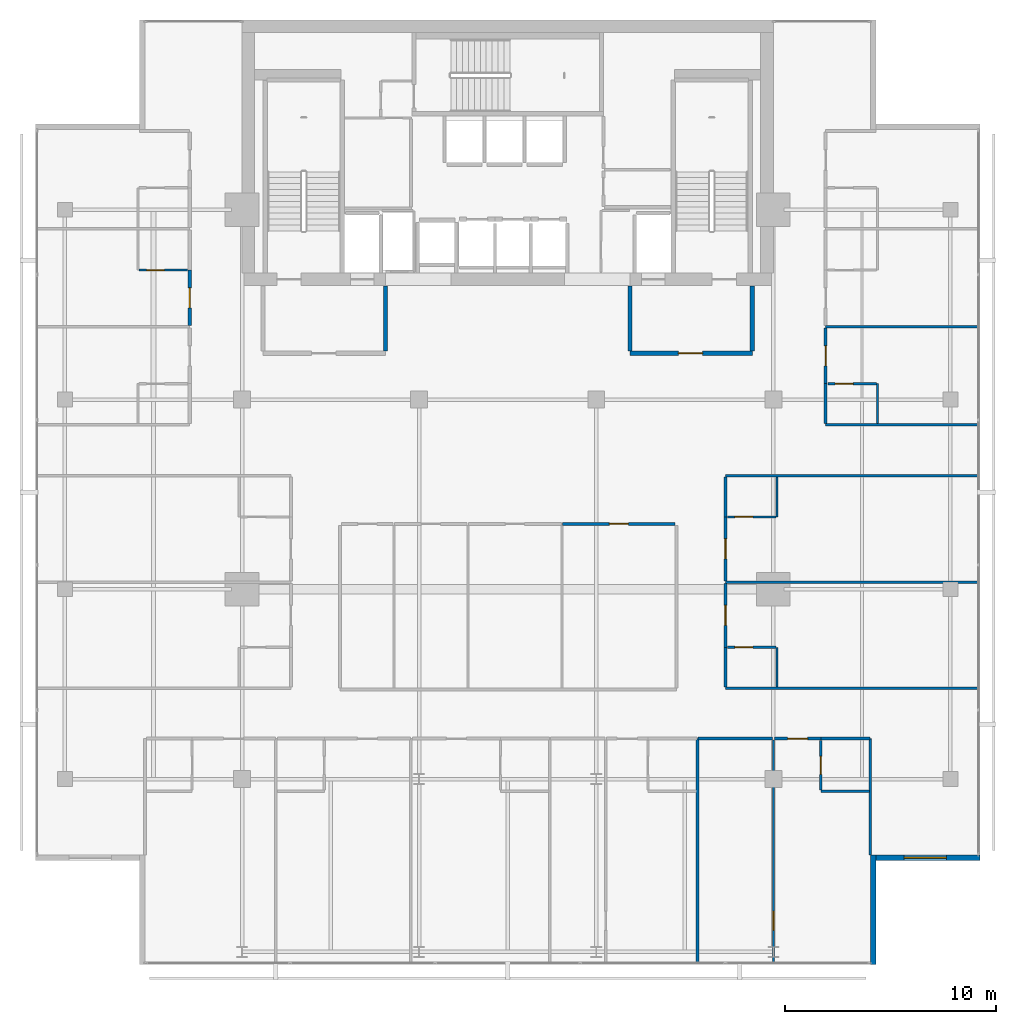
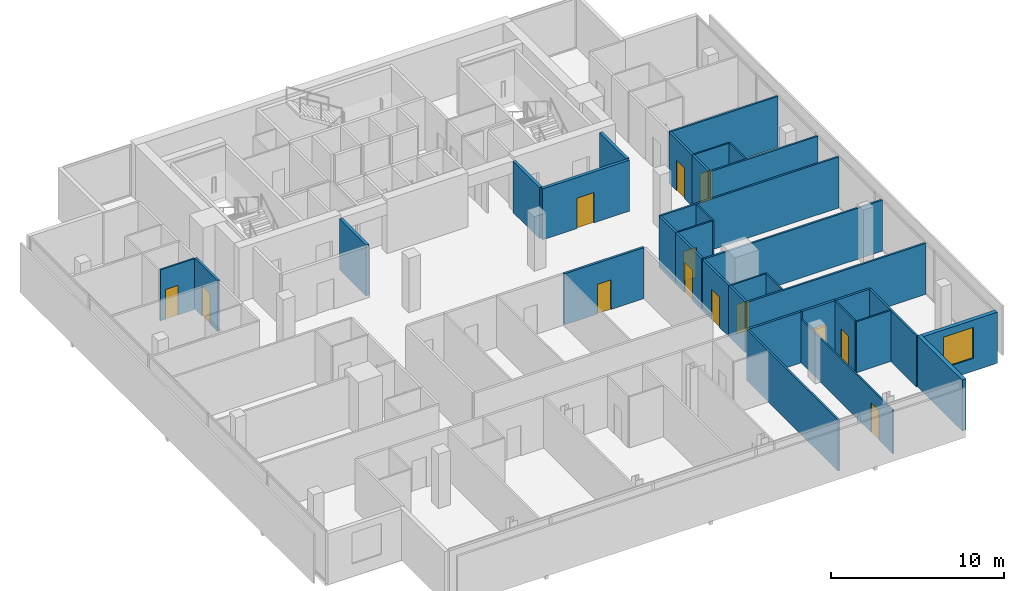
# One storey, part 21 of 26: 34 walls, 13 doors, 1 window, 14 openings.
"""IFC4 building model written with IfcOpenShell, lengths in metres."""

from ifc_helpers import new_model, si_unit, direction, frame, frame_2d, origin, place, context, subcontext, project, spatial, rectangle, extrude, material, layer, layer_set, type_object, element, fill, save


model = new_model("IFC4")

# Units and contexts
model_context = context("Model", 3, precision=1e-05, world=origin(), true_north=direction((0.0, 1.0)))
body_context = subcontext(model_context, "Body", "Model", "MODEL_VIEW")
ifc_project = project(units=[si_unit("LENGTHUNIT", "METRE"), si_unit("AREAUNIT", "SQUARE_METRE"), si_unit("VOLUMEUNIT", "CUBIC_METRE"), si_unit("PLANEANGLEUNIT", "RADIAN"), si_unit("MASSUNIT", "GRAM", prefix="KILO")], contexts=[model_context])

# Site, building, storey
site_placement = place(None, origin())
site = spatial("IfcSite", under=ifc_project, at=site_placement, CompositionType="ELEMENT")
building_placement = place(site_placement, origin())
building = spatial("IfcBuilding", under=site, at=building_placement, Name="Maruvema Waterfront Hotel and Observation Tower", CompositionType="ELEMENT")
storey_placement = place(building_placement, frame((0.0, 0.0, 285.60009765625)))
storey = spatial("IfcBuildingStorey", under=building, at=storey_placement, Name="L70", CompositionType="ELEMENT", Elevation=285.60009765625)

# Wall, opening, door
ifc_material_1 = material(Name="Twin-stud acoustic gypsum drywall", Category="gypsum")
ifc_layer_1 = layer(ifc_material_1, 0.14990234375, Name="Acoustic Corridor and Suite Demising Wall 150 mm")
ifc_layer_set_1 = layer_set([ifc_layer_1], Name="Twin-stud acoustic gypsum drywall")
wall_type_1 = type_object("IfcWallType", Name="Acoustic Corridor and Suite Demising Wall 150 mm", PredefinedType="PARTITIONING", material=ifc_layer_set_1)
wall_1_placement = place(storey_placement, frame((40.406982421875, 30.10009765625, 0.0), z_axis=(0.0, 0.0, 1.0), x_axis=(1.0, 0.0, 0.0)))
wall_1 = element("IfcWall", 1, at=wall_1_placement, inside=storey, type_object=wall_type_1, Name="L70 L70-Z3M Front 4 030", PredefinedType="PARTITIONING", context=body_context, shape_type="SweptSolid", body=[
    extrude(rectangle(XDim=5.3330078125, YDim=0.14990234375, at=frame_2d((2.66650390625, 0.0))), origin(), (0.0, 0.0, 1.0), 3.60986328125),
])
opening_1_placement = place(wall_1_placement, frame((2.216552734375, 0.0, 0.0)))
opening_1 = element("IfcOpeningElement", 2, at=opening_1_placement, cuts=wall_1, Name="Opening DR-090", PredefinedType="OPENING", context=body_context, shape_type="SweptSolid", body=[
    extrude(rectangle(XDim=0.89990234375, YDim=2.10009765625, at=frame_2d((0.449951171875, 1.050048828125))), frame((0.0, 0.0849609375, 0.0), z_axis=(0.0, -1.0, 0.0), x_axis=(1.0, 0.0, 0.0)), (0.0, 0.0, 1.0), 0.169921875),
])
ifc_material_2 = material(Name="Solid-core lacquered timber leaf", Category="wood")
door_type_1 = type_object("IfcDoorType", Name="Accessible Toilet and Room Door 900x2100 mm", OperationType="NOTDEFINED", PredefinedType="DOOR", material=ifc_material_2)
door_1_placement = place(opening_1_placement, origin())
door_1 = element("IfcDoor", 3, at=door_1_placement, inside=storey, type_object=door_type_1, Name="L70 Refreshment Kitchen Door", OperationType="SINGLE_SWING_LEFT", OverallHeight=2.10009765625, OverallWidth=0.89990234375, PredefinedType="DOOR", context=body_context, shape_type="SweptSolid", body=[
    extrude(rectangle(XDim=0.89990234375, YDim=2.10009765625, at=frame_2d((0.449951171875, 1.050048828125))), frame((0.0, 0.02490234375, 0.0), z_axis=(0.0, -1.0, 0.0), x_axis=(1.0, 0.0, 0.0)), (0.0, 0.0, 1.0), 0.050048828125),
])
fill(opening_1, door_1)

# Walls
wall_2_placement = place(storey_placement, frame((52.64990234375, 19.919921875, 0.0), z_axis=(0.0, 0.0, 1.0), x_axis=(1.0, 0.0, 0.0)))
element("IfcWall", 4, at=wall_2_placement, inside=storey, type_object=wall_type_1, Name="L70 Bath L70-S5 Back Wall 055", PredefinedType="PARTITIONING", context=body_context, shape_type="SweptSolid", body=[
    extrude(rectangle(XDim=2.330078125, YDim=0.14990234375, at=frame_2d((1.1650390625, 0.0))), origin(), (0.0, 0.0, 1.0), 3.60986328125),
])
wall_3_placement = place(storey_placement, frame((46.820068359375, 19.919921875, 0.0), z_axis=(0.0, 0.0, 1.0), x_axis=(1.0, 0.0, 0.0)))
element("IfcWall", 5, at=wall_3_placement, inside=storey, type_object=wall_type_1, Name="L70 Bedroom L70-S5 Back Wall 058", PredefinedType="PARTITIONING", context=body_context, shape_type="SweptSolid", body=[
    extrude(rectangle(XDim=3.5478515625, YDim=0.14990234375, at=frame_2d((1.77392578125, 0.0))), origin(), (0.0, 0.0, 1.0), 3.60986328125),
])

# Wall, opening, door
wall_4_placement = place(storey_placement, frame((50.447998046875, 19.919921875, 0.0), z_axis=(0.0, 0.0, 1.0), x_axis=(1.0, 0.0, 0.0)))
wall_4 = element("IfcWall", 6, at=wall_4_placement, inside=storey, type_object=wall_type_1, Name="L70 Unit L70-S5 Corridor Wall 059", PredefinedType="PARTITIONING", context=body_context, shape_type="SweptSolid", body=[
    extrude(rectangle(XDim=2.201904296875, YDim=0.14990234375, at=frame_2d((1.10107421875, 0.0))), origin(), (0.0, 0.0, 1.0), 3.60986328125),
])
opening_2_placement = place(wall_4_placement, frame((0.6259765625, 0.0, 0.0)))
opening_2 = element("IfcOpeningElement", 7, at=opening_2_placement, cuts=wall_4, Name="Opening DR-095", PredefinedType="OPENING", context=body_context, shape_type="SweptSolid", body=[
    extrude(rectangle(XDim=0.949951171875, YDim=2.14990234375, at=frame_2d((0.47509765625, 1.074951171875))), frame((0.0, 0.0849609375, 0.0), z_axis=(0.0, -1.0, 0.0), x_axis=(1.0, 0.0, 0.0)), (0.0, 0.0, 1.0), 0.169921875),
])
ifc_material_3 = material(Name="Acoustic solid-core hardwood timber leaf", Category="wood")
door_type_2 = type_object("IfcDoorType", Name="Guestroom Entrance Fire Door 950x2150 mm", OperationType="NOTDEFINED", PredefinedType="DOOR", material=ifc_material_3)
door_2_placement = place(opening_2_placement, frame((0.949951171875, 0.0, 0.0), z_axis=(0.0, 0.0, 1.0), x_axis=(-1.0, 0.0, 0.0)))
door_2 = element("IfcDoor", 8, at=door_2_placement, inside=storey, type_object=door_type_2, Name="L70 Unit L70-S5 Entrance Door", OperationType="SINGLE_SWING_RIGHT", OverallHeight=2.14990234375, OverallWidth=0.949951171875, PredefinedType="DOOR", context=body_context, shape_type="SweptSolid", body=[
    extrude(rectangle(XDim=0.949951171875, YDim=2.14990234375, at=frame_2d((0.47509765625, 1.074951171875))), frame((0.0, 0.02490234375, 0.0), z_axis=(0.0, -1.0, 0.0), x_axis=(1.0, 0.0, 0.0)), (0.0, 0.0, 1.0), 0.050048828125),
])
fill(opening_2, door_2)

# Wall
wall_5_placement = place(storey_placement, frame((48.1298828125, 22.360107421875, 0.0), z_axis=(0.0, 0.0, 1.0), x_axis=(0.0, 1.0, 0.0)))
element("IfcWall", 9, at=wall_5_placement, inside=storey, type_object=wall_type_1, Name="L70 Bath L70-E1 Wall 069", PredefinedType="PARTITIONING", context=body_context, shape_type="SweptSolid", body=[
    extrude(rectangle(XDim=1.889892578125, YDim=0.14990234375, at=frame_2d((0.94482421875, 0.0))), origin(), (0.0, 0.0, 1.0), 3.60986328125),
])

# Wall, opening, door
wall_6_placement = place(storey_placement, frame((48.1298828125, 24.25, 0.0), z_axis=(0.0, 0.0, 1.0), x_axis=(0.0, 1.0, 0.0)))
wall_6 = element("IfcWall", 10, at=wall_6_placement, inside=storey, type_object=wall_type_1, Name="L70 Room L70-E1 Corridor Wall 070", PredefinedType="PARTITIONING", context=body_context, shape_type="SweptSolid", body=[
    extrude(rectangle(XDim=3.030029296875, YDim=0.14990234375, at=frame_2d((1.51513671875, 0.0))), origin(), (0.0, 0.0, 1.0), 3.60986328125),
])
opening_3_placement = place(wall_6_placement, frame((1.0400390625, 0.0, 0.0)))
opening_3 = element("IfcOpeningElement", 11, at=opening_3_placement, cuts=wall_6, Name="Opening DR-095", PredefinedType="OPENING", context=body_context, shape_type="SweptSolid", body=[
    extrude(rectangle(XDim=0.949951171875, YDim=2.14990234375, at=frame_2d((0.47509765625, 1.074951171875))), frame((0.0, 0.0849609375, 0.0), z_axis=(0.0, -1.0, 0.0), x_axis=(1.0, 0.0, 0.0)), (0.0, 0.0, 1.0), 0.169921875),
])
door_3_placement = place(opening_3_placement, frame((0.949951171875, 0.0, 0.0), z_axis=(0.0, 0.0, 1.0), x_axis=(-1.0, 0.0, 0.0)))
door_3 = element("IfcDoor", 12, at=door_3_placement, inside=storey, type_object=door_type_2, Name="L70 Room L70-E1 Entrance Door", OperationType="SINGLE_SWING_LEFT", OverallHeight=2.14990234375, OverallWidth=0.949951171875, PredefinedType="DOOR", context=body_context, shape_type="SweptSolid", body=[
    extrude(rectangle(XDim=0.949951171875, YDim=2.14990234375, at=frame_2d((0.47509765625, 1.074951171875))), frame((0.0, 0.02490234375, 0.0), z_axis=(0.0, -1.0, 0.0), x_axis=(1.0, 0.0, 0.0)), (0.0, 0.0, 1.0), 0.050048828125),
])
fill(opening_3, door_3)

wall_7_placement = place(storey_placement, frame((48.1298828125, 27.39990234375, 0.0), z_axis=(0.0, 0.0, 1.0), x_axis=(0.0, 1.0, 0.0)))
wall_7 = element("IfcWall", 13, at=wall_7_placement, inside=storey, type_object=wall_type_1, Name="L70 Room L70-E2 Corridor Wall 079", PredefinedType="PARTITIONING", context=body_context, shape_type="SweptSolid", body=[
    extrude(rectangle(XDim=3.030029296875, YDim=0.14990234375, at=frame_2d((1.51513671875, 0.0))), origin(), (0.0, 0.0, 1.0), 3.60986328125),
])
opening_4_placement = place(wall_7_placement, frame((1.0400390625, 0.0, 0.0)))
opening_4 = element("IfcOpeningElement", 14, at=opening_4_placement, cuts=wall_7, Name="Opening DR-095", PredefinedType="OPENING", context=body_context, shape_type="SweptSolid", body=[
    extrude(rectangle(XDim=0.949951171875, YDim=2.14990234375, at=frame_2d((0.47509765625, 1.074951171875))), frame((0.0, 0.0849609375, 0.0), z_axis=(0.0, -1.0, 0.0), x_axis=(1.0, 0.0, 0.0)), (0.0, 0.0, 1.0), 0.169921875),
])
door_4_placement = place(opening_4_placement, frame((0.949951171875, 0.0, 0.0), z_axis=(0.0, 0.0, 1.0), x_axis=(-1.0, 0.0, 0.0)))
door_4 = element("IfcDoor", 15, at=door_4_placement, inside=storey, type_object=door_type_2, Name="L70 Room L70-E2 Entrance Door", OperationType="SINGLE_SWING_LEFT", OverallHeight=2.14990234375, OverallWidth=0.949951171875, PredefinedType="DOOR", context=body_context, shape_type="SweptSolid", body=[
    extrude(rectangle(XDim=0.949951171875, YDim=2.14990234375, at=frame_2d((0.47509765625, 1.074951171875))), frame((0.0, 0.02490234375, 0.0), z_axis=(0.0, -1.0, 0.0), x_axis=(1.0, 0.0, 0.0)), (0.0, 0.0, 1.0), 0.050048828125),
])
fill(opening_4, door_4)

# Walls
wall_8_placement = place(storey_placement, frame((48.1298828125, 30.429931640625, 0.0), z_axis=(0.0, 0.0, 1.0), x_axis=(0.0, 1.0, 0.0)))
element("IfcWall", 16, at=wall_8_placement, inside=storey, type_object=wall_type_1, Name="L70 Bath L70-E2 Wall 080", PredefinedType="PARTITIONING", context=body_context, shape_type="SweptSolid", body=[
    extrude(rectangle(XDim=1.89013671875, YDim=0.14990234375, at=frame_2d((0.945068359375, 0.0))), origin(), (0.0, 0.0, 1.0), 3.60986328125),
])
wall_9_placement = place(storey_placement, frame((52.8798828125, 34.860107421875, 0.0), z_axis=(0.0, 0.0, 1.0), x_axis=(0.0, 1.0, 0.0)))
element("IfcWall", 17, at=wall_9_placement, inside=storey, type_object=wall_type_1, Name="L70 Bath L70-NE1 Wall 091", PredefinedType="PARTITIONING", context=body_context, shape_type="SweptSolid", body=[
    extrude(rectangle(XDim=1.889892578125, YDim=0.14990234375, at=frame_2d((0.94482421875, 0.0))), origin(), (0.0, 0.0, 1.0), 3.60986328125),
])

# Wall, opening, door
wall_10_placement = place(storey_placement, frame((52.8798828125, 36.75, 0.0), z_axis=(0.0, 0.0, 1.0), x_axis=(0.0, 1.0, 0.0)))
wall_10 = element("IfcWall", 18, at=wall_10_placement, inside=storey, type_object=wall_type_1, Name="L70 Room L70-NE1 Corridor Wall 092", PredefinedType="PARTITIONING", context=body_context, shape_type="SweptSolid", body=[
    extrude(rectangle(XDim=2.6357421875, YDim=0.14990234375, at=frame_2d((1.31787109375, 0.0))), origin(), (0.0, 0.0, 1.0), 3.60986328125),
])
opening_5_placement = place(wall_10_placement, frame((0.843017578125, 0.0, 0.0)))
opening_5 = element("IfcOpeningElement", 19, at=opening_5_placement, cuts=wall_10, Name="Opening DR-095", PredefinedType="OPENING", context=body_context, shape_type="SweptSolid", body=[
    extrude(rectangle(XDim=0.949951171875, YDim=2.14990234375, at=frame_2d((0.47509765625, 1.074951171875))), frame((0.0, 0.0849609375, 0.0), z_axis=(0.0, -1.0, 0.0), x_axis=(1.0, 0.0, 0.0)), (0.0, 0.0, 1.0), 0.169921875),
])
door_5_placement = place(opening_5_placement, frame((0.949951171875, 0.0, 0.0), z_axis=(0.0, 0.0, 1.0), x_axis=(-1.0, 0.0, 0.0)))
door_5 = element("IfcDoor", 20, at=door_5_placement, inside=storey, type_object=door_type_2, Name="L70 Room L70-NE1 Entrance Door", OperationType="SINGLE_SWING_LEFT", OverallHeight=2.14990234375, OverallWidth=0.949951171875, PredefinedType="DOOR", context=body_context, shape_type="SweptSolid", body=[
    extrude(rectangle(XDim=0.949951171875, YDim=2.14990234375, at=frame_2d((0.47509765625, 1.074951171875))), frame((0.0, 0.02490234375, 0.0), z_axis=(0.0, -1.0, 0.0), x_axis=(1.0, 0.0, 0.0)), (0.0, 0.0, 1.0), 0.050048828125),
])
fill(opening_5, door_5)

wall_11_placement = place(storey_placement, frame((22.719970703125, 39.505859375, 0.0), z_axis=(0.0, 0.0, 1.0), x_axis=(0.0, 1.0, 0.0)))
wall_11 = element("IfcWall", 21, at=wall_11_placement, inside=storey, type_object=wall_type_1, Name="L70 Room L70-NW2 Corridor Wall 097", PredefinedType="PARTITIONING", context=body_context, shape_type="SweptSolid", body=[
    extrude(rectangle(XDim=2.6357421875, YDim=0.14990234375, at=frame_2d((1.31787109375, 0.0))), origin(), (0.0, 0.0, 1.0), 3.60986328125),
])
opening_6_placement = place(wall_11_placement, frame((0.843017578125, 0.0, 0.0)))
opening_6 = element("IfcOpeningElement", 22, at=opening_6_placement, cuts=wall_11, Name="Opening DR-095", PredefinedType="OPENING", context=body_context, shape_type="SweptSolid", body=[
    extrude(rectangle(XDim=0.949951171875, YDim=2.14990234375, at=frame_2d((0.47509765625, 1.074951171875))), frame((0.0, 0.0849609375, 0.0), z_axis=(0.0, -1.0, 0.0), x_axis=(1.0, 0.0, 0.0)), (0.0, 0.0, 1.0), 0.169921875),
])
door_6_placement = place(opening_6_placement, origin())
door_6 = element("IfcDoor", 23, at=door_6_placement, inside=storey, type_object=door_type_2, Name="L70 Room L70-NW2 Entrance Door", OperationType="SINGLE_SWING_LEFT", OverallHeight=2.14990234375, OverallWidth=0.949951171875, PredefinedType="DOOR", context=body_context, shape_type="SweptSolid", body=[
    extrude(rectangle(XDim=0.949951171875, YDim=2.14990234375, at=frame_2d((0.47509765625, 1.074951171875))), frame((0.0, 0.02490234375, 0.0), z_axis=(0.0, -1.0, 0.0), x_axis=(1.0, 0.0, 0.0)), (0.0, 0.0, 1.0), 0.050048828125),
])
fill(opening_6, door_6)

# Wall
ifc_material_4 = material(Name="Moisture-resistant cement-board drywall", Category="gypsum")
ifc_layer_2 = layer(ifc_material_4, 0.10009765625, Name="En-Suite Moisture-Resistant Partition 100 mm")
ifc_layer_set_2 = layer_set([ifc_layer_2], Name="Moisture-resistant cement-board drywall")
wall_type_2 = type_object("IfcWallType", Name="En-Suite Moisture-Resistant Partition 100 mm", PredefinedType="PARTITIONING", material=ifc_layer_set_2)
wall_12_placement = place(storey_placement, frame((52.64990234375, 17.419921875, 0.0), z_axis=(0.0, 0.0, 1.0), x_axis=(1.0, 0.0, 0.0)))
element("IfcWall", 24, at=wall_12_placement, inside=storey, type_object=wall_type_2, Name="L70 En-Suite L70-S5 South 056", PredefinedType="PARTITIONING", context=body_context, shape_type="SweptSolid", body=[
    extrude(rectangle(XDim=2.31005859375, YDim=0.10009765625, at=frame_2d((1.155029296875, 0.0))), origin(), (0.0, 0.0, 1.0), 3.60986328125),
])

# Wall, opening, door
wall_13_placement = place(storey_placement, frame((52.64990234375, 17.47998046875, 0.0), z_axis=(0.0, 0.0, 1.0), x_axis=(0.0, 1.0, 0.0)))
wall_13 = element("IfcWall", 25, at=wall_13_placement, inside=storey, type_object=wall_type_2, Name="L70 En-Suite L70-S5 West 057", PredefinedType="PARTITIONING", context=body_context, shape_type="SweptSolid", body=[
    extrude(rectangle(XDim=2.340087890625, YDim=0.10009765625, at=frame_2d((1.169921875, 0.0))), origin(), (0.0, 0.0, 1.0), 3.60986328125),
])
opening_7_placement = place(wall_13_placement, frame((0.7451171875, 0.0, 0.0)))
opening_7 = element("IfcOpeningElement", 26, at=opening_7_placement, cuts=wall_13, Name="Opening DR-085", PredefinedType="OPENING", context=body_context, shape_type="SweptSolid", body=[
    extrude(rectangle(XDim=0.85009765625, YDim=2.10009765625, at=frame_2d((0.425048828125, 1.050048828125))), frame((0.0, 0.06005859375, 0.0), z_axis=(0.0, -1.0, 0.0), x_axis=(1.0, 0.0, 0.0)), (0.0, 0.0, 1.0), 0.1201171875),
])
ifc_material_5 = material(Name="Moisture-resistant solid timber leaf", Category="wood")
door_type_3 = type_object("IfcDoorType", Name="En-Suite Bathroom Door 850x2100 mm", OperationType="NOTDEFINED", PredefinedType="DOOR", material=ifc_material_5)
door_7_placement = place(opening_7_placement, origin())
door_7 = element("IfcDoor", 27, at=door_7_placement, inside=storey, type_object=door_type_3, Name="L70 En-Suite L70-S5 Door", OperationType="SINGLE_SWING_LEFT", OverallHeight=2.10009765625, OverallWidth=0.85009765625, PredefinedType="DOOR", context=body_context, shape_type="SweptSolid", body=[
    extrude(rectangle(XDim=0.85009765625, YDim=2.10009765625, at=frame_2d((0.425048828125, 1.050048828125))), frame((0.0, 0.02490234375, 0.0), z_axis=(0.0, -1.0, 0.0), x_axis=(1.0, 0.0, 0.0)), (0.0, 0.0, 1.0), 0.050048828125),
])
fill(opening_7, door_7)

wall_14_placement = place(storey_placement, frame((50.407958984375, 9.22998046875, 0.0), z_axis=(0.0, 0.0, 1.0), x_axis=(0.0, 1.0, 0.0)))
wall_14 = element("IfcWall", 28, at=wall_14_placement, inside=storey, type_object=wall_type_2, Name="L70 Suite L70-S5 Split 060", PredefinedType="PARTITIONING", context=body_context, shape_type="SweptSolid", body=[
    extrude(rectangle(XDim=10.630126953125, YDim=0.10009765625, at=frame_2d((5.31494140625, 0.0))), origin(), (0.0, 0.0, 1.0), 3.080810546875),
])
opening_8_placement = place(wall_14_placement, frame((1.60009765625, 0.0, 0.0)))
opening_8 = element("IfcOpeningElement", 29, at=opening_8_placement, cuts=wall_14, Name="Opening DR-090", PredefinedType="OPENING", context=body_context, shape_type="SweptSolid", body=[
    extrude(rectangle(XDim=0.89990234375, YDim=2.10009765625, at=frame_2d((0.449951171875, 1.050048828125))), frame((0.0, 0.06005859375, 0.0), z_axis=(0.0, -1.0, 0.0), x_axis=(1.0, 0.0, 0.0)), (0.0, 0.0, 1.0), 0.1201171875),
])
door_8_placement = place(opening_8_placement, frame((0.89990234375, 0.0, 0.0), z_axis=(0.0, 0.0, 1.0), x_axis=(-1.0, 0.0, 0.0)))
door_8 = element("IfcDoor", 30, at=door_8_placement, inside=storey, type_object=door_type_1, Name="L70 Suite L70-S5 Bedroom Door", OperationType="SINGLE_SWING_LEFT", OverallHeight=2.10009765625, OverallWidth=0.89990234375, PredefinedType="DOOR", context=body_context, shape_type="SweptSolid", body=[
    extrude(rectangle(XDim=0.89990234375, YDim=2.10009765625, at=frame_2d((0.449951171875, 1.050048828125))), frame((0.0, 0.02490234375, 0.0), z_axis=(0.0, -1.0, 0.0), x_axis=(1.0, 0.0, 0.0)), (0.0, 0.0, 1.0), 0.050048828125),
])
fill(opening_8, door_8)

# Wall
wall_15_placement = place(storey_placement, frame((50.580078125, 22.360107421875, 0.0), z_axis=(0.0, 0.0, 1.0), x_axis=(0.0, 1.0, 0.0)))
element("IfcWall", 31, at=wall_15_placement, inside=storey, type_object=wall_type_2, Name="L70 En-Suite L70-E1 E 071", PredefinedType="PARTITIONING", context=body_context, shape_type="SweptSolid", body=[
    extrude(rectangle(XDim=1.889892578125, YDim=0.10009765625, at=frame_2d((0.94482421875, 0.0))), origin(), (0.0, 0.0, 1.0), 3.60986328125),
])

# Wall, opening, door
wall_16_placement = place(storey_placement, frame((48.22998046875, 24.25, 0.0), z_axis=(0.0, 0.0, 1.0), x_axis=(1.0, 0.0, 0.0)))
wall_16 = element("IfcWall", 32, at=wall_16_placement, inside=storey, type_object=wall_type_2, Name="L70 En-Suite L70-E1 N 072", PredefinedType="PARTITIONING", context=body_context, shape_type="SweptSolid", body=[
    extrude(rectangle(XDim=2.300048828125, YDim=0.10009765625, at=frame_2d((1.14990234375, 0.0))), origin(), (0.0, 0.0, 1.0), 3.60986328125),
])
opening_9_placement = place(wall_16_placement, frame((0.35009765625, 0.0, 0.0)))
opening_9 = element("IfcOpeningElement", 33, at=opening_9_placement, cuts=wall_16, Name="Opening DR-085", PredefinedType="OPENING", context=body_context, shape_type="SweptSolid", body=[
    extrude(rectangle(XDim=0.85009765625, YDim=2.10009765625, at=frame_2d((0.425048828125, 1.050048828125))), frame((0.0, 0.06005859375, 0.0), z_axis=(0.0, -1.0, 0.0), x_axis=(1.0, 0.0, 0.0)), (0.0, 0.0, 1.0), 0.1201171875),
])
door_9_placement = place(opening_9_placement, origin())
door_9 = element("IfcDoor", 34, at=door_9_placement, inside=storey, type_object=door_type_3, Name="L70 En-Suite L70-E1 Door", OperationType="SINGLE_SWING_RIGHT", OverallHeight=2.10009765625, OverallWidth=0.85009765625, PredefinedType="DOOR", context=body_context, shape_type="SweptSolid", body=[
    extrude(rectangle(XDim=0.85009765625, YDim=2.10009765625, at=frame_2d((0.425048828125, 1.050048828125))), frame((0.0, 0.02490234375, 0.0), z_axis=(0.0, -1.0, 0.0), x_axis=(1.0, 0.0, 0.0)), (0.0, 0.0, 1.0), 0.050048828125),
])
fill(opening_9, door_9)

# Wall
wall_17_placement = place(storey_placement, frame((50.580078125, 30.429931640625, 0.0), z_axis=(0.0, 0.0, 1.0), x_axis=(0.0, 1.0, 0.0)))
element("IfcWall", 35, at=wall_17_placement, inside=storey, type_object=wall_type_2, Name="L70 En-Suite L70-E2 E 081", PredefinedType="PARTITIONING", context=body_context, shape_type="SweptSolid", body=[
    extrude(rectangle(XDim=1.89013671875, YDim=0.10009765625, at=frame_2d((0.945068359375, 0.0))), origin(), (0.0, 0.0, 1.0), 3.60986328125),
])

# Wall, opening, door
wall_18_placement = place(storey_placement, frame((48.22998046875, 30.429931640625, 0.0), z_axis=(0.0, 0.0, 1.0), x_axis=(1.0, 0.0, 0.0)))
wall_18 = element("IfcWall", 36, at=wall_18_placement, inside=storey, type_object=wall_type_2, Name="L70 En-Suite L70-E2 S 082", PredefinedType="PARTITIONING", context=body_context, shape_type="SweptSolid", body=[
    extrude(rectangle(XDim=2.300048828125, YDim=0.10009765625, at=frame_2d((1.14990234375, 0.0))), origin(), (0.0, 0.0, 1.0), 3.60986328125),
])
opening_10_placement = place(wall_18_placement, frame((0.35009765625, 0.0, 0.0)))
opening_10 = element("IfcOpeningElement", 37, at=opening_10_placement, cuts=wall_18, Name="Opening DR-085", PredefinedType="OPENING", context=body_context, shape_type="SweptSolid", body=[
    extrude(rectangle(XDim=0.85009765625, YDim=2.10009765625, at=frame_2d((0.425048828125, 1.050048828125))), frame((0.0, 0.06005859375, 0.0), z_axis=(0.0, -1.0, 0.0), x_axis=(1.0, 0.0, 0.0)), (0.0, 0.0, 1.0), 0.1201171875),
])
door_10_placement = place(opening_10_placement, frame((0.85009765625, 0.0, 0.0), z_axis=(0.0, 0.0, 1.0), x_axis=(-1.0, 0.0, 0.0)))
door_10 = element("IfcDoor", 38, at=door_10_placement, inside=storey, type_object=door_type_3, Name="L70 En-Suite L70-E2 Door", OperationType="SINGLE_SWING_RIGHT", OverallHeight=2.10009765625, OverallWidth=0.85009765625, PredefinedType="DOOR", context=body_context, shape_type="SweptSolid", body=[
    extrude(rectangle(XDim=0.85009765625, YDim=2.10009765625, at=frame_2d((0.425048828125, 1.050048828125))), frame((0.0, 0.02490234375, 0.0), z_axis=(0.0, -1.0, 0.0), x_axis=(1.0, 0.0, 0.0)), (0.0, 0.0, 1.0), 0.050048828125),
])
fill(opening_10, door_10)

# Wall
wall_19_placement = place(storey_placement, frame((55.330078125, 34.860107421875, 0.0), z_axis=(0.0, 0.0, 1.0), x_axis=(0.0, 1.0, 0.0)))
element("IfcWall", 39, at=wall_19_placement, inside=storey, type_object=wall_type_2, Name="L70 En-Suite L70-NE1 E 093", PredefinedType="PARTITIONING", context=body_context, shape_type="SweptSolid", body=[
    extrude(rectangle(XDim=1.889892578125, YDim=0.10009765625, at=frame_2d((0.94482421875, 0.0))), origin(), (0.0, 0.0, 1.0), 3.60986328125),
])

# Wall, opening, door
wall_20_placement = place(storey_placement, frame((52.97998046875, 36.75, 0.0), z_axis=(0.0, 0.0, 1.0), x_axis=(1.0, 0.0, 0.0)))
wall_20 = element("IfcWall", 40, at=wall_20_placement, inside=storey, type_object=wall_type_2, Name="L70 En-Suite L70-NE1 N 094", PredefinedType="PARTITIONING", context=body_context, shape_type="SweptSolid", body=[
    extrude(rectangle(XDim=2.300048828125, YDim=0.10009765625, at=frame_2d((1.14990234375, 0.0))), origin(), (0.0, 0.0, 1.0), 3.60986328125),
])
opening_11_placement = place(wall_20_placement, frame((0.35009765625, 0.0, 0.0)))
opening_11 = element("IfcOpeningElement", 41, at=opening_11_placement, cuts=wall_20, Name="Opening DR-085", PredefinedType="OPENING", context=body_context, shape_type="SweptSolid", body=[
    extrude(rectangle(XDim=0.85009765625, YDim=2.10009765625, at=frame_2d((0.425048828125, 1.050048828125))), frame((0.0, 0.06005859375, 0.0), z_axis=(0.0, -1.0, 0.0), x_axis=(1.0, 0.0, 0.0)), (0.0, 0.0, 1.0), 0.1201171875),
])
door_11_placement = place(opening_11_placement, origin())
door_11 = element("IfcDoor", 42, at=door_11_placement, inside=storey, type_object=door_type_3, Name="L70 En-Suite L70-NE1 Door", OperationType="SINGLE_SWING_RIGHT", OverallHeight=2.10009765625, OverallWidth=0.85009765625, PredefinedType="DOOR", context=body_context, shape_type="SweptSolid", body=[
    extrude(rectangle(XDim=0.85009765625, YDim=2.10009765625, at=frame_2d((0.425048828125, 1.050048828125))), frame((0.0, 0.02490234375, 0.0), z_axis=(0.0, -1.0, 0.0), x_axis=(1.0, 0.0, 0.0)), (0.0, 0.0, 1.0), 0.050048828125),
])
fill(opening_11, door_11)

wall_21_placement = place(storey_placement, frame((20.320068359375, 42.1416015625, 0.0), z_axis=(0.0, 0.0, 1.0), x_axis=(1.0, 0.0, 0.0)))
wall_21 = element("IfcWall", 43, at=wall_21_placement, inside=storey, type_object=wall_type_2, Name="L70 En-Suite L70-NW2 S 100", PredefinedType="PARTITIONING", context=body_context, shape_type="SweptSolid", body=[
    extrude(rectangle(XDim=2.300048828125, YDim=0.10009765625, at=frame_2d((1.14990234375, 0.0))), origin(), (0.0, 0.0, 1.0), 3.60986328125),
])
opening_12_placement = place(wall_21_placement, frame((0.35009765625, 0.0, 0.0)))
opening_12 = element("IfcOpeningElement", 44, at=opening_12_placement, cuts=wall_21, Name="Opening DR-085", PredefinedType="OPENING", context=body_context, shape_type="SweptSolid", body=[
    extrude(rectangle(XDim=0.85009765625, YDim=2.10009765625, at=frame_2d((0.425048828125, 1.050048828125))), frame((0.0, 0.06005859375, 0.0), z_axis=(0.0, -1.0, 0.0), x_axis=(1.0, 0.0, 0.0)), (0.0, 0.0, 1.0), 0.1201171875),
])
door_12_placement = place(opening_12_placement, frame((0.85009765625, 0.0, 0.0), z_axis=(0.0, 0.0, 1.0), x_axis=(-1.0, 0.0, 0.0)))
door_12 = element("IfcDoor", 45, at=door_12_placement, inside=storey, type_object=door_type_3, Name="L70 En-Suite L70-NW2 Door", OperationType="SINGLE_SWING_RIGHT", OverallHeight=2.10009765625, OverallWidth=0.85009765625, PredefinedType="DOOR", context=body_context, shape_type="SweptSolid", body=[
    extrude(rectangle(XDim=0.85009765625, YDim=2.10009765625, at=frame_2d((0.425048828125, 1.050048828125))), frame((0.0, 0.02490234375, 0.0), z_axis=(0.0, -1.0, 0.0), x_axis=(1.0, 0.0, 0.0)), (0.0, 0.0, 1.0), 0.050048828125),
])
fill(opening_12, door_12)

# Wall
ifc_material_6 = material(Name="Precast concrete C45/55 with honed Pernambuco granite facing", Category="masonry")
ifc_layer_3 = layer(ifc_material_6, 0.260009765625, Name="Exterior Granite Clad Spandrel and Pier Wall 260 mm")
ifc_layer_set_3 = layer_set([ifc_layer_3], Name="Precast concrete C45/55 with honed Pernambuco granite facing")
wall_type_3 = type_object("IfcWallType", Name="Exterior Granite Clad Spandrel and Pier Wall 260 mm", PredefinedType="SOLIDWALL", material=ifc_layer_set_3)
wall_22_placement = place(storey_placement, frame((55.1298828125, 14.39990234375, 0.0), z_axis=(0.0, 0.0, 1.0), x_axis=(0.0, -1.0, 0.0)))
element("IfcWall", 46, at=wall_22_placement, inside=storey, type_object=wall_type_3, Name="L70 Corner Notch Granite Pier Wall SE1", PredefinedType="SOLIDWALL", context=body_context, shape_type="SweptSolid", body=[
    extrude(rectangle(XDim=5.199951171875, YDim=0.260009765625, at=frame_2d((2.60009765625, 0.0))), origin(), (0.0, 0.0, 1.0), 3.60986328125),
])

# Wall, opening, window
wall_23_placement = place(storey_placement, frame((60.199951171875, 14.27001953125, 0.0), z_axis=(0.0, 0.0, 1.0), x_axis=(-1.0, 0.0, 0.0)))
wall_23 = element("IfcWall", 47, at=wall_23_placement, inside=storey, type_object=wall_type_3, Name="L70 Corner Notch Granite Pier Wall SE2", PredefinedType="SOLIDWALL", context=body_context, shape_type="SweptSolid", body=[
    extrude(rectangle(XDim=5.199951171875, YDim=0.260009765625, at=frame_2d((2.60009765625, 0.0))), origin(), (0.0, 0.0, 1.0), 3.60986328125),
])
opening_13_placement = place(wall_23_placement, frame((1.60009765625, 0.0, 0.89990234375)))
opening_13 = element("IfcOpeningElement", 48, at=opening_13_placement, cuts=wall_23, Name="Opening WN-03", PredefinedType="OPENING", context=body_context, shape_type="SweptSolid", body=[
    extrude(rectangle(XDim=2.0, YDim=2.199951171875, at=frame_2d((1.0, 1.10009765625))), frame((0.0, 0.14013671875, 0.0), z_axis=(0.0, -1.0, 0.0), x_axis=(1.0, 0.0, 0.0)), (0.0, 0.0, 1.0), 0.280029296875),
])
ifc_material_7 = material(Name="Anodised bronze aluminium frame with laminated low-E glass", Category="aluminium")
window_type = type_object("IfcWindowType", Name="Sky Suite Panoramic Notch Window 2000x2200 mm", PartitioningType="SINGLE_PANEL", PredefinedType="WINDOW", material=ifc_material_7)
window_placement = place(opening_13_placement, origin())
window = element("IfcWindow", 49, at=window_placement, inside=storey, type_object=window_type, Name="L70 Corner Notch Punched Window SE2", OverallHeight=2.199951171875, OverallWidth=2.0, PartitioningType="SINGLE_PANEL", PredefinedType="WINDOW", context=body_context, shape_type="SweptSolid", body=[
    extrude(rectangle(XDim=2.0, YDim=2.199951171875, at=frame_2d((1.0, 1.10009765625))), frame((0.0, 0.030029296875, 0.0), z_axis=(0.0, -1.0, 0.0), x_axis=(1.0, 0.0, 0.0)), (0.0, 0.0, 1.0), 0.06005859375),
])
fill(opening_13, window)

# Wall
ifc_material_8 = material(Name="Autoclaved cellular concrete blockwork", Category="masonry")
ifc_layer_4 = layer(ifc_material_8, 0.199951171875, Name="Fire Compartment Masonry Wall 200 mm")
ifc_layer_set_4 = layer_set([ifc_layer_4], Name="Autoclaved cellular concrete blockwork")
wall_type_4 = type_object("IfcWallType", Name="Fire Compartment Masonry Wall 200 mm", PredefinedType="PARTITIONING", material=ifc_layer_set_4)
wall_24_placement = place(storey_placement, frame((32.0, 38.31005859375, 0.0), z_axis=(0.0, 0.0, 1.0), x_axis=(0.0, 1.0, 0.0)))
element("IfcWall", 50, at=wall_24_placement, inside=storey, type_object=wall_type_4, Name="L70 FFL West East Wall 003", PredefinedType="PARTITIONING", context=body_context, shape_type="SweptSolid", body=[
    extrude(rectangle(XDim=3.06982421875, YDim=0.199951171875, at=frame_2d((1.534912109375, 0.0))), origin(), (0.0, 0.0, 1.0), 3.60986328125),
])

# Wall, opening, door
wall_25_placement = place(storey_placement, frame((43.60009765625, 38.199951171875, 0.0), z_axis=(0.0, 0.0, 1.0), x_axis=(1.0, 0.0, 0.0)))
wall_25 = element("IfcWall", 51, at=wall_25_placement, inside=storey, type_object=wall_type_4, Name="L70 FFL East South Wall 004", PredefinedType="PARTITIONING", context=body_context, shape_type="SweptSolid", body=[
    extrude(rectangle(XDim=5.7998046875, YDim=0.199951171875, at=frame_2d((2.89990234375, 0.0))), origin(), (0.0, 0.0, 1.0), 3.60986328125),
])
opening_14_placement = place(wall_25_placement, frame((2.300048828125, 0.0, 0.0)))
opening_14 = element("IfcOpeningElement", 52, at=opening_14_placement, cuts=wall_25, Name="Opening FD-115", PredefinedType="OPENING", context=body_context, shape_type="SweptSolid", body=[
    extrude(rectangle(XDim=1.14990234375, YDim=2.14990234375, at=frame_2d((0.574951171875, 1.074951171875))), frame((0.0, 0.10986328125, 0.0), z_axis=(0.0, -1.0, 0.0), x_axis=(1.0, 0.0, 0.0)), (0.0, 0.0, 1.0), 0.219970703125),
])
ifc_material_9 = material(Name="Fire-rated galvanised steel and vision glass", Category="steel")
door_type_4 = type_object("IfcDoorType", Name="Firefighting Lobby Fire Door 1150x2150 mm", OperationType="NOTDEFINED", PredefinedType="DOOR", material=ifc_material_9)
door_13_placement = place(opening_14_placement, frame((1.14990234375, 0.0, 0.0), z_axis=(0.0, 0.0, 1.0), x_axis=(-1.0, 0.0, 0.0)))
door_13 = element("IfcDoor", 53, at=door_13_placement, inside=storey, type_object=door_type_4, Name="L70 Firefighting Lobby East Door", OperationType="SINGLE_SWING_LEFT", OverallHeight=2.14990234375, OverallWidth=1.14990234375, PredefinedType="DOOR", context=body_context, shape_type="SweptSolid", body=[
    extrude(rectangle(XDim=1.14990234375, YDim=2.14990234375, at=frame_2d((0.574951171875, 1.074951171875))), frame((0.0, 0.02490234375, 0.0), z_axis=(0.0, -1.0, 0.0), x_axis=(1.0, 0.0, 0.0)), (0.0, 0.0, 1.0), 0.050048828125),
])
fill(opening_14, door_13)

# Walls
for number, where, z_axis, x_axis, name in (
    (54, (43.60009765625, 38.31005859375, 0.0), (0.0, 0.0, 1.0), (0.0, 1.0, 0.0), "L70 FFL East West Wall 005"),
    (55, (49.39990234375, 38.31005859375, 0.0), (0.0, 0.0, 1.0), (0.0, 1.0, 0.0), "L70 FFL East East Wall 006"),
):
    element("IfcWall", number, at=place(storey_placement, frame(where, z_axis=z_axis, x_axis=x_axis)), inside=storey, type_object=wall_type_4, Name=name, PredefinedType="PARTITIONING", context=body_context, shape_type="SweptSolid", body=[
        extrude(rectangle(XDim=3.06982421875, YDim=0.199951171875, at=frame_2d((1.534912109375, 0.0))), origin(), (0.0, 0.0, 1.0), 3.60986328125),
    ])
ifc_material_10 = material(Name="Acoustic gypsum plasterboard drywall", Category="gypsum")
ifc_layer_5 = layer(ifc_material_10, 0.125, Name="Guestroom Acoustic Demising Wall 125 mm")
ifc_layer_set_5 = layer_set([ifc_layer_5], Name="Acoustic gypsum plasterboard drywall")
wall_type_5 = type_object("IfcWallType", Name="Guestroom Acoustic Demising Wall 125 mm", PredefinedType="PARTITIONING", material=ifc_layer_set_5)
wall_26_placement = place(storey_placement, frame((55.0, 14.39990234375, 0.0), z_axis=(0.0, 0.0, 1.0), x_axis=(0.0, 1.0, 0.0)))
element("IfcWall", 56, at=wall_26_placement, inside=storey, type_object=wall_type_5, Name="L70 Z3 S East End 032", PredefinedType="PARTITIONING", context=body_context, shape_type="SweptSolid", body=[
    extrude(rectangle(XDim=5.52001953125, YDim=0.125, at=frame_2d((2.760009765625, 0.0))), origin(), (0.0, 0.0, 1.0), 3.60986328125),
])
wall_27_placement = place(storey_placement, frame((46.800048828125, 9.300048828125, 0.0), z_axis=(0.0, 0.0, 1.0), x_axis=(0.0, 1.0, 0.0)))
element("IfcWall", 57, at=wall_27_placement, inside=storey, type_object=wall_type_5, Name="L70 Z3 S Demising 5 054", PredefinedType="PARTITIONING", context=body_context, shape_type="SweptSolid", body=[
    extrude(rectangle(XDim=10.619873046875, YDim=0.125, at=frame_2d((5.31005859375, 0.0))), origin(), (0.0, 0.0, 1.0), 3.60986328125),
])
for number, where, z_axis, x_axis, name in (
    (58, (48.1298828125, 22.300048828125, 0.0), (0.0, 0.0, 1.0), (1.0, 0.0, 0.0), "L70 Z3 E Bot End 062"),
    (59, (48.1298828125, 32.3798828125, 0.0), (0.0, 0.0, 1.0), (1.0, 0.0, 0.0), "L70 Z3 E Top End 064"),
    (60, (48.1298828125, 27.340087890625, 0.0), (0.0, 0.0, 1.0), (1.0, 0.0, 0.0), "L70 Z3 E Demising 2 074"),
):
    element("IfcWall", number, at=place(storey_placement, frame(where, z_axis=z_axis, x_axis=x_axis)), inside=storey, type_object=wall_type_5, Name=name, PredefinedType="PARTITIONING", context=body_context, shape_type="SweptSolid", body=[
        extrude(rectangle(XDim=11.97021484375, YDim=0.125, at=frame_2d((5.985107421875, 0.0))), origin(), (0.0, 0.0, 1.0), 3.60986328125),
    ])
for number, where, z_axis, x_axis, name in (
    (61, (52.8798828125, 34.800048828125, 0.0), (0.0, 0.0, 1.0), (1.0, 0.0, 0.0), "L70 Z3 NE Bot End 084"),
    (62, (52.8798828125, 39.44580078125, 0.0), (0.0, 0.0, 1.0), (1.0, 0.0, 0.0), "L70 Z3 NE Demising 2 096"),
):
    element("IfcWall", number, at=place(storey_placement, frame(where, z_axis=z_axis, x_axis=x_axis)), inside=storey, type_object=wall_type_5, Name=name, PredefinedType="PARTITIONING", context=body_context, shape_type="SweptSolid", body=[
        extrude(rectangle(XDim=7.22021484375, YDim=0.125, at=frame_2d((3.610107421875, 0.0))), origin(), (0.0, 0.0, 1.0), 3.60986328125),
    ])

save(model, "model.ifc")
